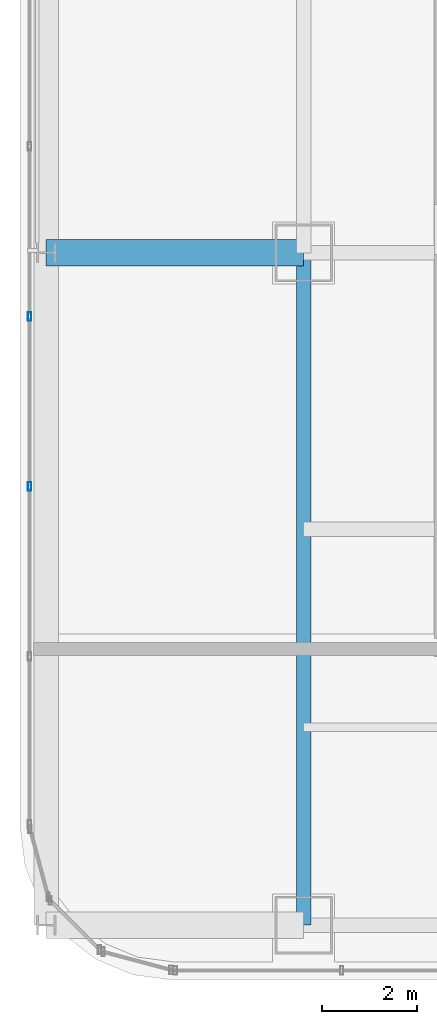
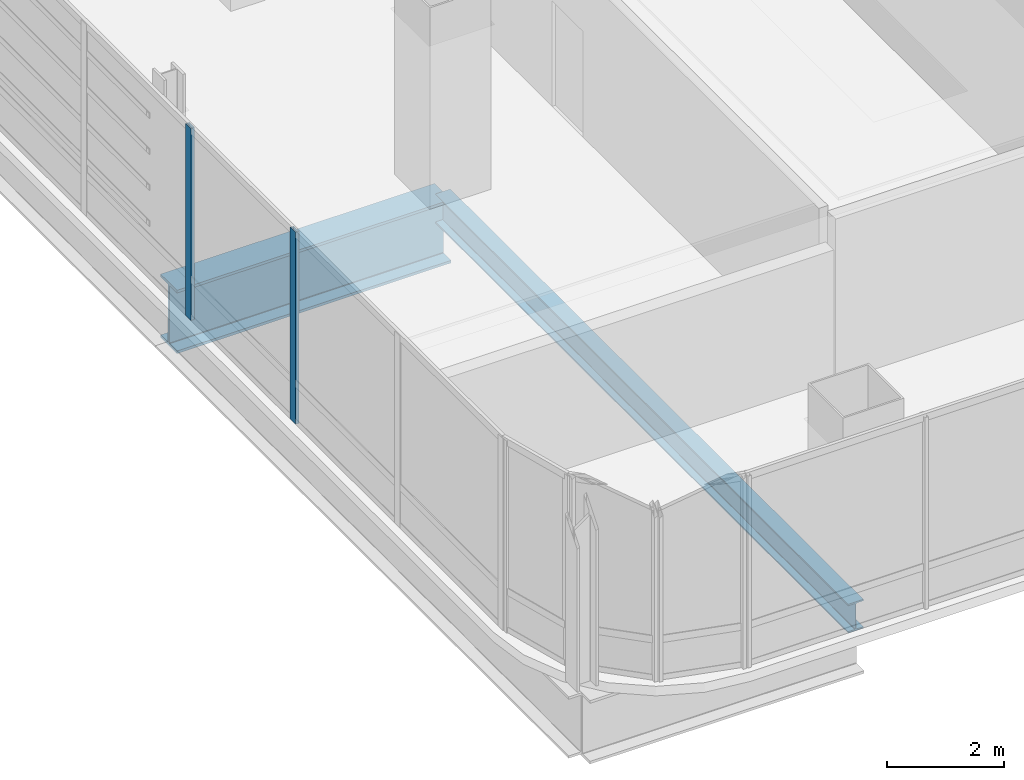
# One storey, part 5 of 42: 2 beams, 2 members, 1 element without a shape of its own.
"""IFC4 building model written with IfcOpenShell, lengths in metres."""

import ifcopenshell
import ifcopenshell.guid

model = None  # the IFC model being written
_history = None  # IfcOwnerHistory: only IFC2X3 demands one
_inside = {}  # id of a spatial element -> (the spatial element, [elements in it])
_under = {}  # id of a project, library or spatial element -> (it, [spatial elements below it])
_declared = {}  # id of a project -> (the project, [libraries it declares])
_typed = {}  # id of a type object -> (the type object, [elements of that type])
_made_of = {}  # id of a material, layer set ... -> (it, [elements and type objects made of it])


def new_model(schema):
    """Start an empty IFC model of exactly this schema.

    Asked for "IFC4X3", IfcOpenShell would pick the latest addendum, in which some entities
    have other attributes; the version numbers below select the first issue.
    IFC2X3 requires an IfcOwnerHistory on every rooted entity: one is made here for all.
    """
    global model, _history
    if schema == "IFC4X3":
        model = ifcopenshell.file(schema_version=(4, 3, 0, 0))
    else:
        model = ifcopenshell.file(schema=schema)
    _inside.clear()
    _under.clear()
    _declared.clear()
    _typed.clear()
    _made_of.clear()
    _history = None
    if model.schema == "IFC2X3":
        org = make("IfcOrganization", Name="unknown")
        user = make(
            "IfcPersonAndOrganization",
            ThePerson=make("IfcPerson", FamilyName="unknown"),
            TheOrganization=org,
        )
        app = make(
            "IfcApplication",
            ApplicationDeveloper=org,
            Version="unknown",
            ApplicationFullName="unknown",
            ApplicationIdentifier="unknown",
        )
        _history = make(
            "IfcOwnerHistory",
            OwningUser=user,
            OwningApplication=app,
            ChangeAction="ADDED",
            CreationDate=0,
        )
    return model


def make(cls, **values):
    """One entity of the class cls with the attributes given. An attribute that is None is left unset."""
    return model.create_entity(
        cls, **{name: value for name, value in values.items() if value is not None}
    )


def rooted(cls, **values):
    """An entity with a GlobalId (a new one), such as an element, a storey or a relation."""
    return make(cls, GlobalId=ifcopenshell.guid.new(), OwnerHistory=_history, **values)


def si_unit(unit_type, name, prefix=None):
    """IfcSIUnit, for example si_unit("LENGTHUNIT", "METRE", prefix="MILLI")."""
    return make("IfcSIUnit", UnitType=unit_type, Prefix=prefix, Name=name)


def assignment(units):
    """IfcUnitAssignment: the units of a project."""
    return None if units is None else make("IfcUnitAssignment", Units=units)


def point(xyz):
    """IfcCartesianPoint."""
    return None if xyz is None else make("IfcCartesianPoint", Coordinates=xyz)


def direction(xyz):
    """IfcDirection."""
    return None if xyz is None else make("IfcDirection", DirectionRatios=xyz)


def frame(location, z_axis=None, x_axis=None):
    """IfcAxis2Placement3D, a coordinate frame: its origin and axes. An axis left out is left unset."""
    return make(
        "IfcAxis2Placement3D",
        Location=point(location),
        Axis=direction(z_axis),
        RefDirection=direction(x_axis),
    )


def frame_2d(location, x_axis=None):
    """IfcAxis2Placement2D, a coordinate frame in the plane: its origin and x axis."""
    return make(
        "IfcAxis2Placement2D", Location=point(location), RefDirection=direction(x_axis)
    )


def origin():
    """The frame at (0, 0, 0) with its axes left unset."""
    return frame((0.0, 0.0, 0.0))


def origin_2d():
    """The frame at (0, 0) in the plane with its x axis left unset."""
    return frame_2d((0.0, 0.0))


def place(relative_to, where):
    """IfcLocalPlacement: puts the frame where relative to a parent placement (None: the world)."""
    return make(
        "IfcLocalPlacement", PlacementRelTo=relative_to, RelativePlacement=where
    )


def context(
    kind, dimensions, precision=None, world=None, true_north=None, identifier=None
):
    """IfcGeometricRepresentationContext, for example the 3D "Model" context."""
    return make(
        "IfcGeometricRepresentationContext",
        ContextIdentifier=identifier,
        ContextType=kind,
        CoordinateSpaceDimension=dimensions,
        Precision=precision,
        WorldCoordinateSystem=world,
        TrueNorth=true_north,
    )


def subcontext(parent, identifier, kind, view, scale=None):
    """IfcGeometricRepresentationSubContext, for example "Body" below "Model"."""
    return make(
        "IfcGeometricRepresentationSubContext",
        ContextIdentifier=identifier,
        ContextType=kind,
        ParentContext=parent,
        TargetScale=scale,
        TargetView=view,
    )


def project(units=None, contexts=None):
    """IfcProject with its units and contexts."""
    return rooted(
        "IfcProject",
        Name="project",
        RepresentationContexts=contexts,
        UnitsInContext=assignment(units),
    )


def spatial(cls, under=None, at=None, **own):
    """A site, building, storey or space (cls), placed at a placement, below another one or the project."""
    s = rooted(cls, ObjectPlacement=at, **own)
    if under is not None:
        _under.setdefault(under.id(), (under, []))[1].append(s)
    return s


def profile(cls, at=None, kind="AREA", **sizes):
    """A parametric profile (cls). Its sizes go by their IFC names, for example OverallWidth=200.0."""
    return make(cls, ProfileType=kind, Position=at, **sizes)


def hollow_rectangle(**sizes):
    """IfcRectangleHollowProfileDef."""
    return profile("IfcRectangleHollowProfileDef", **sizes)


def i_section(**sizes):
    """IfcIShapeProfileDef."""
    return profile("IfcIShapeProfileDef", **sizes)


def extrude(swept, where, along, depth):
    """IfcExtrudedAreaSolid: the profile swept, set in the frame where, extruded along a direction by depth."""
    return make(
        "IfcExtrudedAreaSolid",
        SweptArea=swept,
        Position=where,
        ExtrudedDirection=direction(along),
        Depth=depth,
    )


def shape(context_of_items, identifier, shape_type, items):
    """IfcShapeRepresentation: the items that make up one representation, for example the "Body"."""
    return make(
        "IfcShapeRepresentation",
        ContextOfItems=context_of_items,
        RepresentationIdentifier=identifier,
        RepresentationType=shape_type,
        Items=items,
    )


def material(Name=None, Category=None):
    """IfcMaterial."""
    return make("IfcMaterial", Name=Name, Category=Category)


def material_profile(
    of_material, cross_section, Name=None, Category=None, Priority=None
):
    """IfcMaterialProfile: a cross section and its material."""
    return make(
        "IfcMaterialProfile",
        Name=Name,
        Material=of_material,
        Profile=cross_section,
        Priority=Priority,
        Category=Category,
    )


def profile_set(profiles, Name=None, composite=None):
    """IfcMaterialProfileSet."""
    return make(
        "IfcMaterialProfileSet",
        Name=Name,
        MaterialProfiles=profiles,
        CompositeProfile=composite,
    )


def made_of(thing, what):
    """Note that an element or type object is made of a material, layer set ...; save() writes the relation."""
    if what is not None:
        _made_of.setdefault(what.id(), (what, []))[1].append(thing)
    return thing


def type_object(cls, material=None, **own):
    """A type object (cls), such as IfcWallType, which elements share."""
    return made_of(rooted(cls, **own), material)


def element(
    cls,
    number,
    at=None,
    inside=None,
    cuts=None,
    type_object=None,
    material=None,
    context=None,
    identifier="Body",
    shape_type=None,
    held_by="IfcProductDefinitionShape",
    body=None,
    shapes=None,
    **own,
):
    """One element of the class cls, such as IfcWall. Its Tag is "e" and its number.

    at: its placement. inside: the storey or other place that contains it. cuts: it is an
    opening in that element (IfcRelVoidsElement). A single representation is given by context,
    identifier, shape_type and body (its items); several are given by shapes. held_by: the class
    of the entity that holds the representations. save() writes the other relations.
    """
    e = rooted(cls, Tag="e%d" % number, ObjectPlacement=at, **own)
    if body is not None:
        shapes = [shape(context, identifier, shape_type, body)]
    if shapes is not None:
        e.Representation = make(held_by, Representations=shapes)
    if inside is not None:
        _inside.setdefault(inside.id(), (inside, []))[1].append(e)
    if cuts is not None:
        rooted(
            "IfcRelVoidsElement", RelatingBuildingElement=cuts, RelatedOpeningElement=e
        )
    if type_object is not None:
        _typed.setdefault(type_object.id(), (type_object, []))[1].append(e)
    return made_of(e, material)


def aggregate(whole, parts):
    """IfcRelAggregates: a whole, such as a stair, and the parts it consists of."""
    return rooted("IfcRelAggregates", RelatingObject=whole, RelatedObjects=parts)


def save(model, path):
    """Write the relations noted so far, then the file.

    IfcRelAggregates (storeys below a building ...), IfcRelContainedInSpatialStructure (elements
    in a storey), IfcRelDefinesByType, IfcRelAssociatesMaterial and IfcRelDeclares: one each for
    every whole, place, type object, material and project.
    """
    for whole, parts in _under.values():
        aggregate(whole, parts)
    for where, things in _inside.values():
        rooted(
            "IfcRelContainedInSpatialStructure",
            RelatedElements=things,
            RelatingStructure=where,
        )
    for kind, things in _typed.values():
        rooted("IfcRelDefinesByType", RelatedObjects=things, RelatingType=kind)
    for what, things in _made_of.values():
        rooted("IfcRelAssociatesMaterial", RelatedObjects=things, RelatingMaterial=what)
    for by, libraries in _declared.values():
        rooted("IfcRelDeclares", RelatingContext=by, RelatedDefinitions=libraries)
    model.write(path)


model = new_model("IFC4")

# Units and contexts
model_context = context("Model", 3, precision=1e-05, world=origin(), true_north=direction((0.0, 1.0)))
body_context = subcontext(model_context, "Body", "Model", "MODEL_VIEW")
ifc_project = project(units=[si_unit("LENGTHUNIT", "METRE"), si_unit("AREAUNIT", "SQUARE_METRE"), si_unit("VOLUMEUNIT", "CUBIC_METRE"), si_unit("PLANEANGLEUNIT", "RADIAN"), si_unit("MASSUNIT", "GRAM", prefix="KILO")], contexts=[model_context])

# Site, building, storey
site_placement = place(None, origin())
site = spatial("IfcSite", under=ifc_project, at=site_placement, CompositionType="ELEMENT")
building_placement = place(site_placement, origin())
building = spatial("IfcBuilding", under=site, at=building_placement, Name="Punatoya Terracotta Tower", CompositionType="ELEMENT")
storey_placement = place(building_placement, frame((0.0, 0.0, 304.800048828125)))
storey = spatial("IfcBuildingStorey", under=building, at=storey_placement, Name="L72", CompositionType="ELEMENT", Elevation=304.800048828125)

# Beams
ifc_material_1 = material(Name="Steel S355", Category="steel")
ifc_material_profile_1 = material_profile(ifc_material_1, i_section(OverallWidth=0.300048828125, OverallDepth=0.60009765625, WebThickness=0.015380859375, FlangeThickness=0.030029296875, FilletRadius=0.01806640625, at=origin_2d()))
ifc_profile_set_1 = profile_set([ifc_material_profile_1], Name="Steel S355")
beam_type_1 = type_object("IfcBeamType", Name="BM-PRI-600", PredefinedType="BEAM", material=ifc_profile_set_1)
beam_1_placement = place(storey_placement, frame((-19.10009765625, -17.5, -0.5), z_axis=(0.0, 1.0, 0.0), x_axis=(-1.0, 0.0, 0.0)))
element("IfcBeam", 1, at=beam_1_placement, inside=storey, type_object=beam_type_1, Name="BM-L72-RG-W1", PredefinedType="BEAM", context=body_context, shape_type="SweptSolid", body=[
    extrude(i_section(OverallWidth=0.300048828125, OverallDepth=0.60009765625, WebThickness=0.015380859375, FlangeThickness=0.030029296875, FilletRadius=0.01806640625, at=origin_2d()), origin(), (0.0, 0.0, 1.0), 14.10009765625),
])
ifc_material_2 = material(Name="Steel S460", Category="steel")
ifc_material_profile_2 = material_profile(ifc_material_2, i_section(OverallWidth=0.56005859375, OverallDepth=1.320068359375, WebThickness=0.035888671875, FlangeThickness=0.054931640625, FilletRadius=0.01806640625, at=origin_2d()))
ifc_profile_set_2 = profile_set([ifc_material_profile_2], Name="Steel S460")
beam_type_2 = type_object("IfcBeamType", Name="BM-TG-BLK", PredefinedType="BEAM", material=ifc_profile_set_2)
beam_2_placement = place(storey_placement, frame((-24.5, -3.39990234375, -0.860107421875), z_axis=(1.0, 0.0, 0.0), x_axis=(0.0, 1.0, 0.0)))
element("IfcBeam", 2, at=beam_2_placement, inside=storey, type_object=beam_type_2, Name="BM-L72-CANT-W2", PredefinedType="BEAM", context=body_context, shape_type="SweptSolid", body=[
    extrude(i_section(OverallWidth=0.56005859375, OverallDepth=1.320068359375, WebThickness=0.035888671875, FlangeThickness=0.054931640625, FilletRadius=0.01806640625, at=origin_2d()), origin(), (0.0, 0.0, 1.0), 5.39990234375),
])

# Curtain wall, members
ifc_material_3 = material(Name="Aluminium 6063-T6 + Double Low-E Glass", Category="aluminium")
curtain_wall_type = type_object("IfcCurtainWallType", Name="CW-M3", PredefinedType="NOTDEFINED", material=ifc_material_3)
curtain_wall_placement = place(storey_placement, origin())
curtain_wall = element("IfcCurtainWall", 3, at=curtain_wall_placement, inside=storey, type_object=curtain_wall_type, Name="L72 Curtain Wall CW-L72-W13-1", PredefinedType="NOTDEFINED")
ifc_material_4 = material(Name="Aluminium 6063-T6", Category="aluminium")
ifc_material_profile_3 = material_profile(ifc_material_4, hollow_rectangle(XDim=0.070068359375, YDim=0.179931640625, WallThickness=0.00390625, at=origin_2d()))
ifc_profile_set_3 = profile_set([ifc_material_profile_3], Name="Aluminium 6063-T6")
member_type = type_object("IfcMemberType", Name="CW-MUL-M3", PredefinedType="MULLION", material=ifc_profile_set_3)
member_1_placement = place(storey_placement, frame((-24.85009765625, -4.73486328125, 0.0), z_axis=(0.0, 0.0, 1.0), x_axis=(1.0, 0.0, 0.0)))
member_1 = element("IfcMember", 4, at=member_1_placement, type_object=member_type, Name="CW-L72-W13-1 Mullion 07", PredefinedType="MULLION", context=body_context, shape_type="SweptSolid", body=[
    extrude(hollow_rectangle(XDim=0.070068359375, YDim=0.179931640625, WallThickness=0.00390625, at=origin_2d()), origin(), (0.0, 0.0, 1.0), 4.0),
])
member_2_placement = place(storey_placement, frame((-24.85009765625, -8.302001953125, 0.0), z_axis=(0.0, 0.0, 1.0), x_axis=(1.0, 0.0, 0.0)))
member_2 = element("IfcMember", 5, at=member_2_placement, type_object=member_type, Name="CW-L72-W13-1 Mullion 08", PredefinedType="MULLION", context=body_context, shape_type="SweptSolid", body=[
    extrude(hollow_rectangle(XDim=0.070068359375, YDim=0.179931640625, WallThickness=0.00390625, at=origin_2d()), origin(), (0.0, 0.0, 1.0), 4.0),
])
aggregate(curtain_wall, [member_1, member_2])

save(model, "model.ifc")
